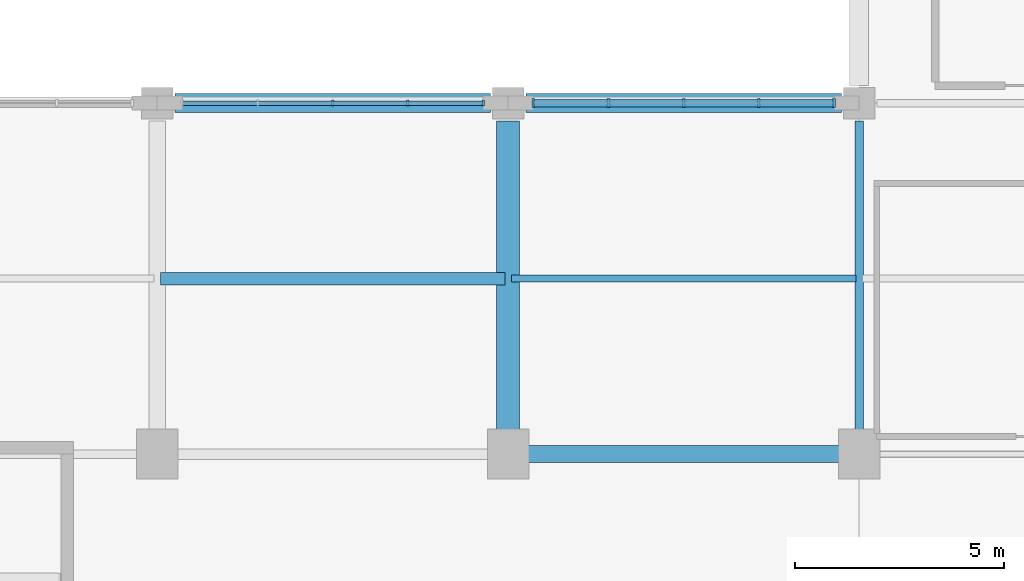
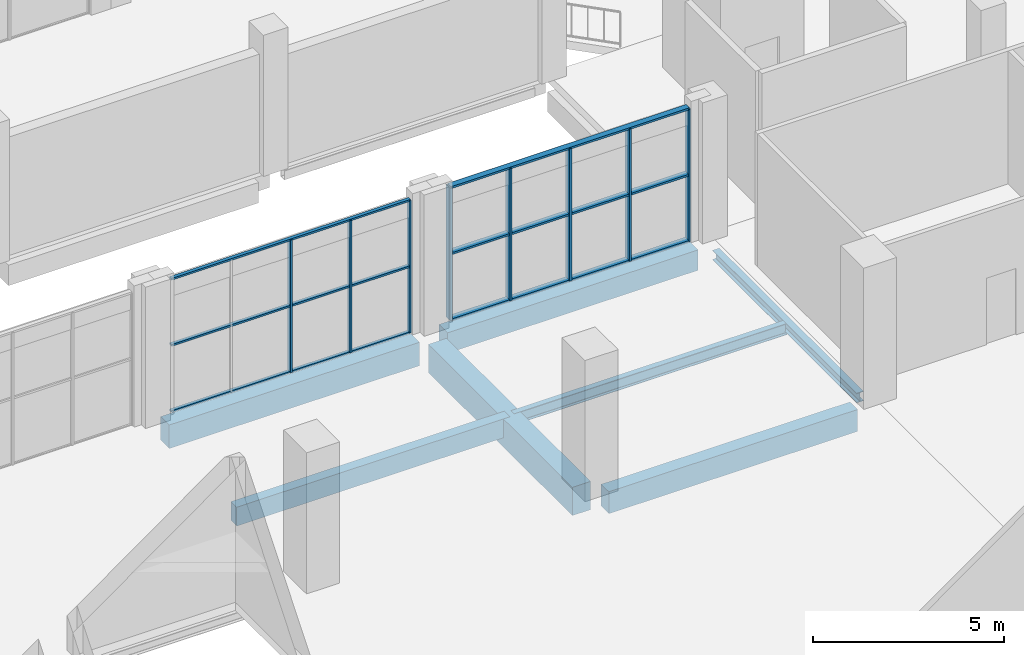
# One storey, part 28 of 75: 14 members, 7 beams, 2 elements without a shape of their own.
"""IFC4 building model written with IfcOpenShell, lengths in metres."""

from ifc_helpers import new_model, si_unit, derived_unit, direction, frame, origin, origin_2d, place, context, subcontext, project, spatial, rectangle, i_section, extrude, material, material_profile, profile_set, type_object, element, aggregate, save


model = new_model("IFC4")

# Units and contexts
model_context = context("Model", 3, precision=1e-05, world=origin(), true_north=direction((0.0, 1.0)))
body_context = subcontext(model_context, "Body", "Model", "MODEL_VIEW")
ifc_project = project(units=[si_unit("LENGTHUNIT", "METRE"), si_unit("AREAUNIT", "SQUARE_METRE"), si_unit("VOLUMEUNIT", "CUBIC_METRE"), si_unit("PLANEANGLEUNIT", "RADIAN"), si_unit("MASSUNIT", "GRAM", prefix="KILO"), derived_unit("THERMALTRANSMITTANCEUNIT", [(si_unit("POWERUNIT", "WATT"), 1), (si_unit("LENGTHUNIT", "METRE"), -2), (si_unit("THERMODYNAMICTEMPERATUREUNIT", "KELVIN"), -1)])], contexts=[model_context])

# Site, building, storey
site_placement = place(None, origin())
site = spatial("IfcSite", under=ifc_project, at=site_placement, CompositionType="ELEMENT")
building_placement = place(site_placement, origin())
building = spatial("IfcBuilding", under=site, at=building_placement, Name="Barrovel Congress Hotel", CompositionType="ELEMENT")
storey_placement = place(building_placement, frame((0.0, 0.0, 5.39990234375)))
storey = spatial("IfcBuildingStorey", under=building, at=storey_placement, Name="L01", CompositionType="ELEMENT", Elevation=5.39990234375)

# Beams
ifc_material_1 = material(Name="Concrete C40", Category="concrete")
ifc_material_profile_1 = material_profile(ifc_material_1, rectangle(XDim=0.300048828125, YDim=0.60009765625, at=origin_2d()), Name="RC300x600")
ifc_profile_set_1 = profile_set([ifc_material_profile_1], Name="Concrete C40")
beam_type_1 = type_object("IfcBeamType", Name="BM-RC300x600", PredefinedType="JOIST", material=ifc_profile_set_1)
beam_1_placement = place(storey_placement, frame((109.280029296875, 25.199951171875, -0.559814453125), z_axis=(1.0, 0.0, 0.0), x_axis=(0.0, 1.0, 0.0)))
element("IfcBeam", 1, at=beam_1_placement, inside=storey, type_object=beam_type_1, Name="JST:L01:109.2:25.2", PredefinedType="JOIST", context=body_context, shape_type="SweptSolid", body=[
    extrude(rectangle(XDim=0.300048828125, YDim=0.60009765625, at=origin_2d()), origin(), (0.0, 0.0, 1.0), 8.239990234375),
])
ifc_material_profile_2 = material_profile(ifc_material_1, rectangle(XDim=0.39990234375, YDim=0.699951171875, at=origin_2d()), Name="RC400x700")
ifc_profile_set_2 = profile_set([ifc_material_profile_2], Name="Concrete C40")
beam_type_2 = type_object("IfcBeamType", Name="BM-RC400x700", PredefinedType="BEAM", material=ifc_profile_set_2)
beam_2_placement = place(storey_placement, frame((118.050048828125, 21.0, -0.60986328125), z_axis=(1.0, 0.0, 0.0), x_axis=(0.0, 1.0, 0.0)))
element("IfcBeam", 2, at=beam_2_placement, inside=storey, type_object=beam_type_2, Name="BMX:L01:21.0:117.6-126.0", PredefinedType="BEAM", context=body_context, shape_type="SweptSolid", body=[
    extrude(rectangle(XDim=0.39990234375, YDim=0.699951171875, at=origin_2d()), origin(), (0.0, 0.0, 1.0), 7.5),
])
ifc_material_profile_3 = material_profile(ifc_material_1, rectangle(XDim=0.449951171875, YDim=0.64990234375, at=origin_2d()), Name="RC450x650")
ifc_profile_set_3 = profile_set([ifc_material_profile_3], Name="Concrete C40")
beam_type_3 = type_object("IfcBeamType", Name="BM-RC450x650", PredefinedType="BEAM", material=ifc_profile_set_3)
beam_3_placement = place(storey_placement, frame((118.02490234375, 29.39990234375, -0.5849609375), z_axis=(1.0, 0.0, 0.0), x_axis=(0.0, 1.0, 0.0)))
element("IfcBeam", 3, at=beam_3_placement, inside=storey, type_object=beam_type_3, Name="BMX:L01:29.4:117.6-126.0", PredefinedType="BEAM", context=body_context, shape_type="SweptSolid", body=[
    extrude(rectangle(XDim=0.449951171875, YDim=0.64990234375, at=origin_2d()), origin(), (0.0, 0.0, 1.0), 7.550048828125),
])
ifc_material_profile_4 = material_profile(ifc_material_1, rectangle(XDim=0.449951171875, YDim=0.75, at=origin_2d()), Name="RC450x750")
ifc_profile_set_4 = profile_set([ifc_material_profile_4], Name="Concrete C40")
beam_type_4 = type_object("IfcBeamType", Name="BM-RC450x750", PredefinedType="BEAM", material=ifc_profile_set_4)
beam_4_placement = place(storey_placement, frame((109.625, 29.39990234375, -0.635009765625), z_axis=(1.0, 0.0, 0.0), x_axis=(0.0, 1.0, 0.0)))
element("IfcBeam", 4, at=beam_4_placement, inside=storey, type_object=beam_type_4, Name="BMX:L01:29.4:109.2-117.6", PredefinedType="BEAM", context=body_context, shape_type="SweptSolid", body=[
    extrude(rectangle(XDim=0.449951171875, YDim=0.75, at=origin_2d()), origin(), (0.0, 0.0, 1.0), 7.550048828125),
])
ifc_material_profile_5 = material_profile(ifc_material_1, rectangle(XDim=0.550048828125, YDim=0.89990234375, at=origin_2d()), Name="RC550x900")
ifc_profile_set_5 = profile_set([ifc_material_profile_5], Name="Concrete C40")
beam_type_5 = type_object("IfcBeamType", Name="BM-RC550x900", PredefinedType="BEAM", material=ifc_profile_set_5)
beam_5_placement = place(storey_placement, frame((117.60009765625, 21.449951171875, -0.7099609375), z_axis=(0.0, 1.0, 0.0), x_axis=(-1.0, 0.0, 0.0)))
element("IfcBeam", 5, at=beam_5_placement, inside=storey, type_object=beam_type_5, Name="BMY:L01:117.6:21.0-29.4", PredefinedType="BEAM", context=body_context, shape_type="SweptSolid", body=[
    extrude(rectangle(XDim=0.550048828125, YDim=0.89990234375, at=origin_2d()), origin(), (0.0, 0.0, 1.0), 7.525146484375),
])

# Curtain wall, members
ifc_material_2 = material(Name="Anodised Aluminium Alloy 6063-T6", Category="aluminium")
curtain_wall_type = type_object("IfcCurtainWallType", Name="CW-ST-7200x3900", PredefinedType="USERDEFINED", material=ifc_material_2)
curtain_wall_1_placement = place(storey_placement, origin())
curtain_wall_1 = element("IfcCurtainWall", 6, at=curtain_wall_1_placement, inside=storey, type_object=curtain_wall_type, Name="CW:L01:CS:13", ObjectType="STICK CURTAIN WALL", PredefinedType="USERDEFINED")
ifc_material_profile_6 = material_profile(ifc_material_2, rectangle(XDim=0.06005859375, YDim=0.139892578125, at=origin_2d()), Name="AL-M60x140")
ifc_profile_set_6 = profile_set([ifc_material_profile_6], Name="Anodised Aluminium Alloy 6063-T6")
member_type_1 = type_object("IfcMemberType", Name="CWM-AL-M60x140", PredefinedType="MULLION", material=ifc_profile_set_6)
member_1_placement = place(storey_placement, frame((117.0, 29.39990234375, 0.0), z_axis=(0.0, 0.0, 1.0), x_axis=(1.0, 0.0, 0.0)))
member_1 = element("IfcMember", 7, at=member_1_placement, type_object=member_type_1, Name="CW:L01:CS:13:M0", PredefinedType="MULLION", context=body_context, shape_type="SweptSolid", body=[
    extrude(rectangle(XDim=0.06005859375, YDim=0.139892578125, at=origin_2d()), origin(), (0.0, 0.0, 1.0), 4.22021484375),
])
member_2_placement = place(storey_placement, frame((115.199951171875, 29.39990234375, 0.0), z_axis=(0.0, 0.0, 1.0), x_axis=(1.0, 0.0, 0.0)))
member_2 = element("IfcMember", 8, at=member_2_placement, type_object=member_type_1, Name="CW:L01:CS:13:M1", PredefinedType="MULLION", context=body_context, shape_type="SweptSolid", body=[
    extrude(rectangle(XDim=0.06005859375, YDim=0.139892578125, at=origin_2d()), origin(), (0.0, 0.0, 1.0), 4.22021484375),
])
member_3_placement = place(storey_placement, frame((113.39990234375, 29.39990234375, 0.0), z_axis=(0.0, 0.0, 1.0), x_axis=(1.0, 0.0, 0.0)))
member_3 = element("IfcMember", 9, at=member_3_placement, type_object=member_type_1, Name="CW:L01:CS:13:M2", PredefinedType="MULLION", context=body_context, shape_type="SweptSolid", body=[
    extrude(rectangle(XDim=0.06005859375, YDim=0.139892578125, at=origin_2d()), origin(), (0.0, 0.0, 1.0), 4.22021484375),
])

curtain_wall_2_placement = place(storey_placement, origin())
curtain_wall_2 = element("IfcCurtainWall", 10, at=curtain_wall_2_placement, inside=storey, type_object=curtain_wall_type, Name="CW:L01:CS:14", ObjectType="STICK CURTAIN WALL", PredefinedType="USERDEFINED")
ifc_material_profile_7 = material_profile(ifc_material_2, rectangle(XDim=0.06494140625, YDim=0.219970703125, at=origin_2d()), Name="AL-M65x220")
ifc_profile_set_7 = profile_set([ifc_material_profile_7], Name="Anodised Aluminium Alloy 6063-T6")
member_type_2 = type_object("IfcMemberType", Name="CWM-AL-M65x220", PredefinedType="MULLION", material=ifc_profile_set_7)
member_4_placement = place(storey_placement, frame((125.39990234375, 29.39990234375, 0.0), z_axis=(0.0, 0.0, 1.0), x_axis=(1.0, 0.0, 0.0)))
member_4 = element("IfcMember", 11, at=member_4_placement, type_object=member_type_2, Name="CW:L01:CS:14:M0", PredefinedType="MULLION", context=body_context, shape_type="SweptSolid", body=[
    extrude(rectangle(XDim=0.06494140625, YDim=0.219970703125, at=origin_2d()), origin(), (0.0, 0.0, 1.0), 4.22021484375),
])
member_5_placement = place(storey_placement, frame((123.60009765625, 29.39990234375, 0.0), z_axis=(0.0, 0.0, 1.0), x_axis=(1.0, 0.0, 0.0)))
member_5 = element("IfcMember", 12, at=member_5_placement, type_object=member_type_2, Name="CW:L01:CS:14:M1", PredefinedType="MULLION", context=body_context, shape_type="SweptSolid", body=[
    extrude(rectangle(XDim=0.06494140625, YDim=0.219970703125, at=origin_2d()), origin(), (0.0, 0.0, 1.0), 4.22021484375),
])
member_6_placement = place(storey_placement, frame((121.800048828125, 29.39990234375, 0.0), z_axis=(0.0, 0.0, 1.0), x_axis=(1.0, 0.0, 0.0)))
member_6 = element("IfcMember", 13, at=member_6_placement, type_object=member_type_2, Name="CW:L01:CS:14:M2", PredefinedType="MULLION", context=body_context, shape_type="SweptSolid", body=[
    extrude(rectangle(XDim=0.06494140625, YDim=0.219970703125, at=origin_2d()), origin(), (0.0, 0.0, 1.0), 4.22021484375),
])
member_7_placement = place(storey_placement, frame((120.0, 29.39990234375, 0.0), z_axis=(0.0, 0.0, 1.0), x_axis=(1.0, 0.0, 0.0)))
member_7 = element("IfcMember", 14, at=member_7_placement, type_object=member_type_2, Name="CW:L01:CS:14:M3", PredefinedType="MULLION", context=body_context, shape_type="SweptSolid", body=[
    extrude(rectangle(XDim=0.06494140625, YDim=0.219970703125, at=origin_2d()), origin(), (0.0, 0.0, 1.0), 4.22021484375),
])
member_8_placement = place(storey_placement, frame((118.199951171875, 29.39990234375, 0.0), z_axis=(0.0, 0.0, 1.0), x_axis=(1.0, 0.0, 0.0)))
member_8 = element("IfcMember", 15, at=member_8_placement, type_object=member_type_2, Name="CW:L01:CS:14:M4", PredefinedType="MULLION", context=body_context, shape_type="SweptSolid", body=[
    extrude(rectangle(XDim=0.06494140625, YDim=0.219970703125, at=origin_2d()), origin(), (0.0, 0.0, 1.0), 4.22021484375),
])

# Member
ifc_material_profile_8 = material_profile(ifc_material_2, rectangle(XDim=0.10498046875, YDim=0.06005859375, at=origin_2d()), Name="AL-T60x105")
ifc_profile_set_8 = profile_set([ifc_material_profile_8], Name="Anodised Aluminium Alloy 6063-T6")
member_type_3 = type_object("IfcMemberType", Name="CWT-AL-T60x105", PredefinedType="USERDEFINED", material=ifc_profile_set_8)
member_9_placement = place(storey_placement, frame((117.0, 29.39990234375, 0.0), z_axis=(-1.0, 0.0, 0.0), x_axis=(0.0, -1.0, 0.0)))
member_9 = element("IfcMember", 16, at=member_9_placement, type_object=member_type_3, Name="CW:L01:CS:13:T0", ObjectType="TRANSOM", PredefinedType="USERDEFINED", context=body_context, shape_type="SweptSolid", body=[
    extrude(rectangle(XDim=0.10498046875, YDim=0.06005859375, at=origin_2d()), origin(), (0.0, 0.0, 1.0), 7.199951171875),
])

member_10_placement = place(storey_placement, frame((117.0, 29.39990234375, 2.110107421875), z_axis=(-1.0, 0.0, 0.0), x_axis=(0.0, -1.0, 0.0)))
member_10 = element("IfcMember", 17, at=member_10_placement, type_object=member_type_3, Name="CW:L01:CS:13:T1", ObjectType="TRANSOM", PredefinedType="USERDEFINED", context=body_context, shape_type="SweptSolid", body=[
    extrude(rectangle(XDim=0.10498046875, YDim=0.06005859375, at=origin_2d()), origin(), (0.0, 0.0, 1.0), 7.199951171875),
])

member_11_placement = place(storey_placement, frame((117.0, 29.39990234375, 4.22021484375), z_axis=(-1.0, 0.0, 0.0), x_axis=(0.0, -1.0, 0.0)))
member_11 = element("IfcMember", 18, at=member_11_placement, type_object=member_type_3, Name="CW:L01:CS:13:T2", ObjectType="TRANSOM", PredefinedType="USERDEFINED", context=body_context, shape_type="SweptSolid", body=[
    extrude(rectangle(XDim=0.10498046875, YDim=0.06005859375, at=origin_2d()), origin(), (0.0, 0.0, 1.0), 7.199951171875),
])

aggregate(curtain_wall_1, [member_1, member_2, member_3, member_9, member_10, member_11])

ifc_material_profile_9 = material_profile(ifc_material_2, rectangle(XDim=0.179931640625, YDim=0.06494140625, at=origin_2d()), Name="AL-T65x180")
ifc_profile_set_9 = profile_set([ifc_material_profile_9], Name="Anodised Aluminium Alloy 6063-T6")
member_type_4 = type_object("IfcMemberType", Name="CWT-AL-T65x180", PredefinedType="USERDEFINED", material=ifc_profile_set_9)
member_12_placement = place(storey_placement, frame((125.39990234375, 29.39990234375, 0.0), z_axis=(-1.0, 0.0, 0.0), x_axis=(0.0, -1.0, 0.0)))
member_12 = element("IfcMember", 19, at=member_12_placement, type_object=member_type_4, Name="CW:L01:CS:14:T0", ObjectType="TRANSOM", PredefinedType="USERDEFINED", context=body_context, shape_type="SweptSolid", body=[
    extrude(rectangle(XDim=0.179931640625, YDim=0.06494140625, at=origin_2d()), origin(), (0.0, 0.0, 1.0), 7.199951171875),
])

member_13_placement = place(storey_placement, frame((125.39990234375, 29.39990234375, 2.110107421875), z_axis=(-1.0, 0.0, 0.0), x_axis=(0.0, -1.0, 0.0)))
member_13 = element("IfcMember", 20, at=member_13_placement, type_object=member_type_4, Name="CW:L01:CS:14:T1", ObjectType="TRANSOM", PredefinedType="USERDEFINED", context=body_context, shape_type="SweptSolid", body=[
    extrude(rectangle(XDim=0.179931640625, YDim=0.06494140625, at=origin_2d()), origin(), (0.0, 0.0, 1.0), 7.199951171875),
])

member_14_placement = place(storey_placement, frame((125.39990234375, 29.39990234375, 4.22021484375), z_axis=(-1.0, 0.0, 0.0), x_axis=(0.0, -1.0, 0.0)))
member_14 = element("IfcMember", 21, at=member_14_placement, type_object=member_type_4, Name="CW:L01:CS:14:T2", ObjectType="TRANSOM", PredefinedType="USERDEFINED", context=body_context, shape_type="SweptSolid", body=[
    extrude(rectangle(XDim=0.179931640625, YDim=0.06494140625, at=origin_2d()), origin(), (0.0, 0.0, 1.0), 7.199951171875),
])

aggregate(curtain_wall_2, [member_4, member_5, member_6, member_7, member_8, member_12, member_13, member_14])

# Beams
ifc_material_3 = material(Name="Steel ASTM A992 Grade 50", Category="steel")
ifc_material_profile_10 = material_profile(ifc_material_3, i_section(OverallWidth=0.205078125, OverallDepth=0.31005859375, WebThickness=0.009521484375, FlangeThickness=0.016357421875, FilletRadius=0.012939453125, at=origin_2d()), Name="W310x74")
ifc_profile_set_10 = profile_set([ifc_material_profile_10], Name="Steel ASTM A992 Grade 50")
beam_type_6 = type_object("IfcBeamType", Name="SBM-W310x74", PredefinedType="SPANDREL", material=ifc_profile_set_10)
beam_6_placement = place(storey_placement, frame((126.0, 21.449951171875, -0.414794921875), z_axis=(0.0, 1.0, 0.0), x_axis=(-1.0, 0.0, 0.0)))
element("IfcBeam", 22, at=beam_6_placement, inside=storey, type_object=beam_type_6, Name="BMY:L01:126.0:21.0-29.4", PredefinedType="SPANDREL", context=body_context, shape_type="SweptSolid", body=[
    extrude(i_section(OverallWidth=0.205078125, OverallDepth=0.31005859375, WebThickness=0.009521484375, FlangeThickness=0.016357421875, FilletRadius=0.012939453125, at=origin_2d()), origin(), (0.0, 0.0, 1.0), 7.525146484375),
])
ifc_material_profile_11 = material_profile(ifc_material_3, i_section(OverallWidth=0.172119140625, OverallDepth=0.35791015625, WebThickness=0.0078125, FlangeThickness=0.01318359375, FilletRadius=0.011962890625, at=origin_2d()), Name="W360x57")
ifc_profile_set_11 = profile_set([ifc_material_profile_11], Name="Steel ASTM A992 Grade 50")
beam_type_7 = type_object("IfcBeamType", Name="SBM-W360x57", PredefinedType="JOIST", material=ifc_profile_set_11)
beam_7_placement = place(storey_placement, frame((117.679931640625, 25.199951171875, -0.43896484375), z_axis=(1.0, 0.0, 0.0), x_axis=(0.0, 1.0, 0.0)))
element("IfcBeam", 23, at=beam_7_placement, inside=storey, type_object=beam_type_7, Name="JST:L01:117.6:25.2", PredefinedType="JOIST", context=body_context, shape_type="SweptSolid", body=[
    extrude(i_section(OverallWidth=0.172119140625, OverallDepth=0.35791015625, WebThickness=0.0078125, FlangeThickness=0.01318359375, FilletRadius=0.011962890625, at=origin_2d()), origin(), (0.0, 0.0, 1.0), 8.239990234375),
])

save(model, "model.ifc")
